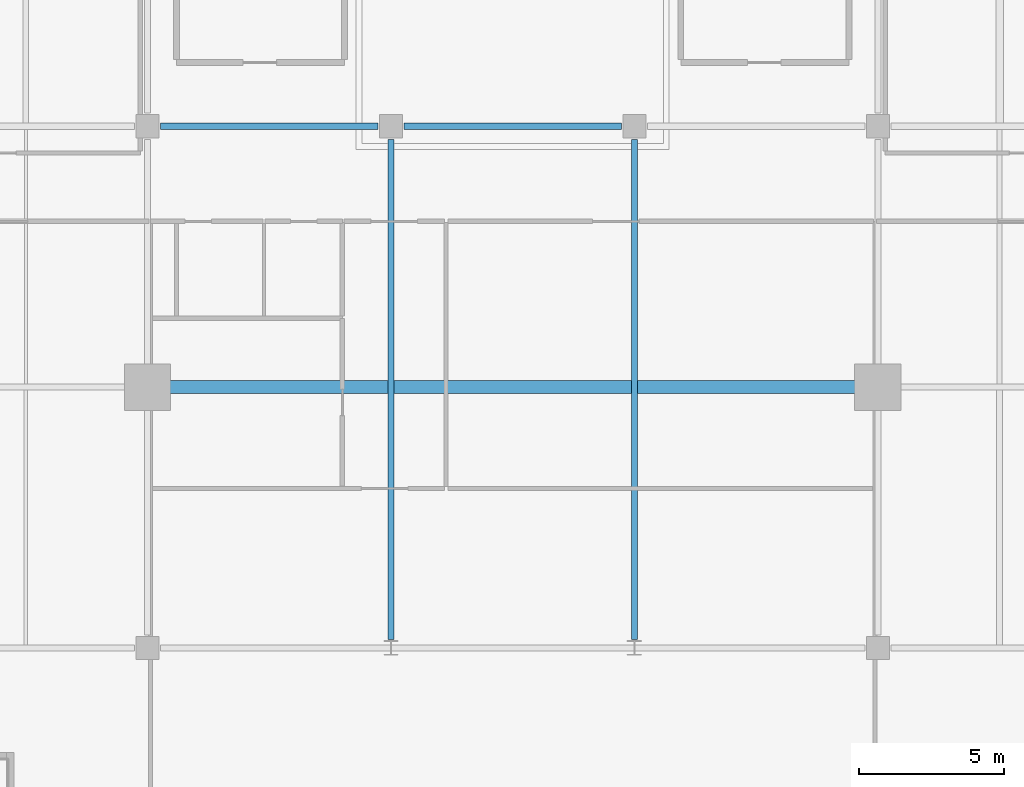
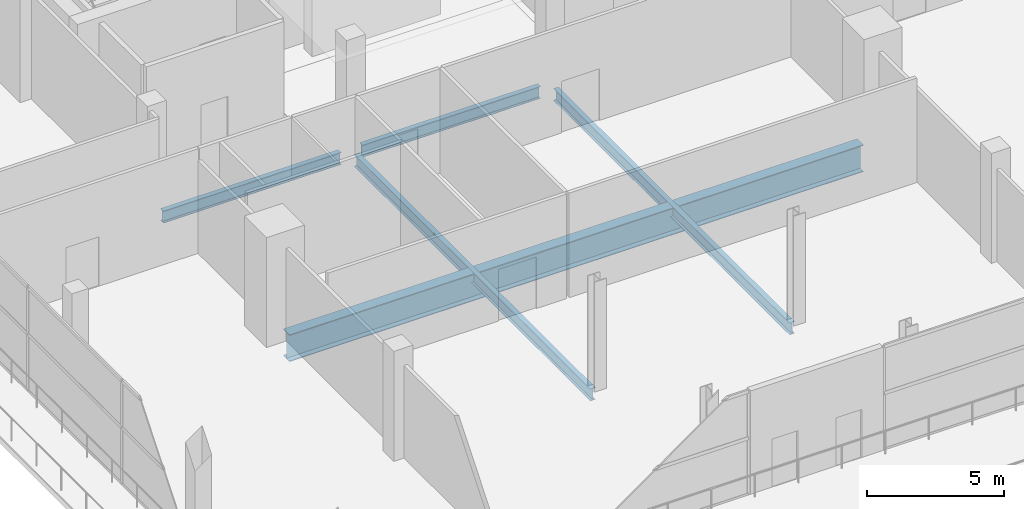
# One storey, part 8 of 28: 5 beams.
"""IFC4 building model written with IfcOpenShell, lengths in metres."""

from ifc_helpers import new_model, si_unit, direction, frame, origin, origin_2d, place, context, subcontext, project, spatial, i_section, extrude, material, material_profile, profile_set, type_object, element, save


model = new_model("IFC4")

# Units and contexts
model_context = context("Model", 3, precision=1e-05, world=origin(), true_north=direction((0.0, 1.0)))
body_context = subcontext(model_context, "Body", "Model", "MODEL_VIEW")
ifc_project = project(units=[si_unit("LENGTHUNIT", "METRE"), si_unit("AREAUNIT", "SQUARE_METRE"), si_unit("VOLUMEUNIT", "CUBIC_METRE"), si_unit("PLANEANGLEUNIT", "RADIAN"), si_unit("MASSUNIT", "GRAM", prefix="KILO")], contexts=[model_context])

# Site, building, storey
site_placement = place(None, origin())
site = spatial("IfcSite", under=ifc_project, at=site_placement, CompositionType="ELEMENT")
building_placement = place(site_placement, origin())
building = spatial("IfcBuilding", under=site, at=building_placement, Name="Maruvema Waterfront Hotel and Observation Tower", CompositionType="ELEMENT")
storey_placement = place(building_placement, frame((0.0, 0.0, 234.5)))
storey = spatial("IfcBuildingStorey", under=building, at=storey_placement, Name="L57", CompositionType="ELEMENT", Elevation=234.5)

# Beams
ifc_material_1 = material(Name="Steel ASTM A572 Grade 50", Category="steel")
ifc_material_profile_1 = material_profile(ifc_material_1, i_section(OverallWidth=0.2109375, OverallDepth=0.5390625, WebThickness=0.01171875, FlangeThickness=0.018798828125, FilletRadius=0.014892578125, at=origin_2d()), Name="W530x109.0")
ifc_profile_set_1 = profile_set([ifc_material_profile_1], Name="Steel ASTM A572 Grade 50")
beam_type_1 = type_object("IfcBeamType", Name="Primary Floor Girder W530x109.0", PredefinedType="BEAM", material=ifc_profile_set_1)
for number, where, z_axis, x_axis, name in (
    (1, (25.64990234375, 36.0, -0.509521484375), (1.0, 0.0, 0.0), (0.0, 1.0, 0.0), "L57 Floor Girder EW-10"),
    (2, (34.050048828125, 36.0, -0.509521484375), (1.0, 0.0, 0.0), (0.0, 1.0, 0.0), "L57 Floor Girder EW-11"),
):
    element("IfcBeam", number, at=place(storey_placement, frame(where, z_axis=z_axis, x_axis=x_axis)), inside=storey, type_object=beam_type_1, Name=name, PredefinedType="BEAM", context=body_context, shape_type="SweptSolid", body=[
        extrude(i_section(OverallWidth=0.2109375, OverallDepth=0.5390625, WebThickness=0.01171875, FlangeThickness=0.018798828125, FilletRadius=0.014892578125, at=origin_2d()), origin(), (0.0, 0.0, 1.0), 7.5),
    ])
for number, where, z_axis, x_axis, name in (
    (3, (33.60009765625, 18.300048828125, -0.509521484375), (0.0, 1.0, 0.0), (-1.0, 0.0, 0.0), "L57 Floor Girder NS-07"),
    (4, (42.0, 18.300048828125, -0.509521484375), (0.0, 1.0, 0.0), (-1.0, 0.0, 0.0), "L57 Floor Girder NS-08"),
):
    element("IfcBeam", number, at=place(storey_placement, frame(where, z_axis=z_axis, x_axis=x_axis)), inside=storey, type_object=beam_type_1, Name=name, PredefinedType="BEAM", context=body_context, shape_type="SweptSolid", body=[
        extrude(i_section(OverallWidth=0.2109375, OverallDepth=0.5390625, WebThickness=0.01171875, FlangeThickness=0.018798828125, FilletRadius=0.014892578125, at=origin_2d()), origin(), (0.0, 0.0, 1.0), 17.25),
    ])
ifc_material_2 = material(Name="Steel ABNT NBR 7007 AR 415 (ASTM A572 Grade 50)", Category="steel")
ifc_material_profile_2 = material_profile(ifc_material_2, i_section(OverallWidth=0.449951171875, OverallDepth=1.199951171875, WebThickness=0.01904296875, FlangeThickness=0.031982421875, at=origin_2d()), Name="VS1200x366")
ifc_profile_set_2 = profile_set([ifc_material_profile_2], Name="Steel ABNT NBR 7007 AR 415 (ASTM A572 Grade 50)")
beam_type_2 = type_object("IfcBeamType", Name="Upper Setback Transfer Girder VS1200x366", PredefinedType="USERDEFINED", material=ifc_profile_set_2)
beam_placement = place(storey_placement, frame((25.699951171875, 27.0, -0.840087890625), z_axis=(1.0, 0.0, 0.0), x_axis=(0.0, 1.0, 0.0)))
element("IfcBeam", 5, at=beam_placement, inside=storey, type_object=beam_type_2, Name="L57 Floor Girder EW-07", ObjectType="TRANSFER GIRDER", PredefinedType="USERDEFINED", context=body_context, shape_type="SweptSolid", body=[
    extrude(i_section(OverallWidth=0.449951171875, OverallDepth=1.199951171875, WebThickness=0.01904296875, FlangeThickness=0.031982421875, at=origin_2d()), origin(), (0.0, 0.0, 1.0), 24.199951171875),
])

save(model, "model.ifc")
